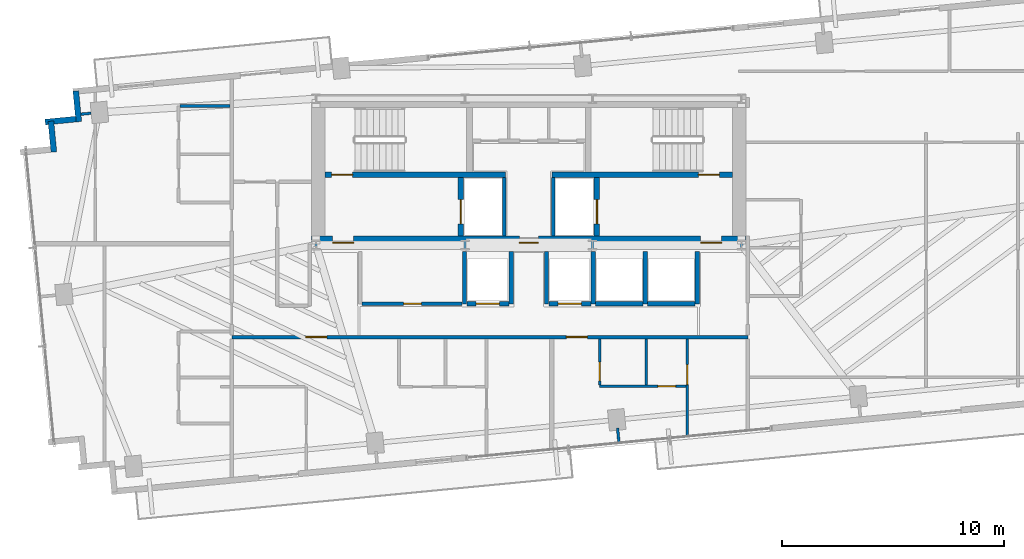
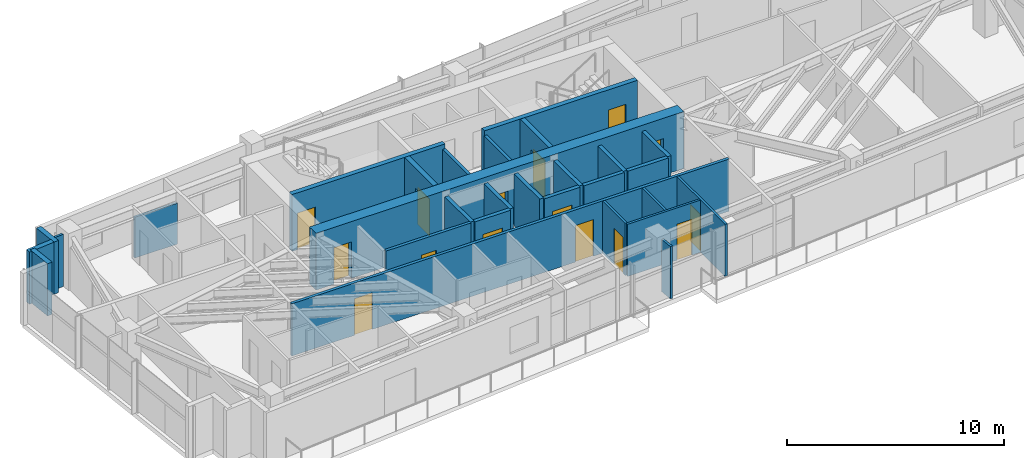
# One storey, part 14 of 18: 29 walls, 15 doors, 15 openings.
"""IFC4 building model written with IfcOpenShell, lengths in metres."""

import ifcopenshell
import ifcopenshell.guid

model = None  # the IFC model being written
_history = None  # IfcOwnerHistory: only IFC2X3 demands one
_inside = {}  # id of a spatial element -> (the spatial element, [elements in it])
_under = {}  # id of a project, library or spatial element -> (it, [spatial elements below it])
_declared = {}  # id of a project -> (the project, [libraries it declares])
_typed = {}  # id of a type object -> (the type object, [elements of that type])
_made_of = {}  # id of a material, layer set ... -> (it, [elements and type objects made of it])


def new_model(schema):
    """Start an empty IFC model of exactly this schema.

    Asked for "IFC4X3", IfcOpenShell would pick the latest addendum, in which some entities
    have other attributes; the version numbers below select the first issue.
    IFC2X3 requires an IfcOwnerHistory on every rooted entity: one is made here for all.
    """
    global model, _history
    if schema == "IFC4X3":
        model = ifcopenshell.file(schema_version=(4, 3, 0, 0))
    else:
        model = ifcopenshell.file(schema=schema)
    _inside.clear()
    _under.clear()
    _declared.clear()
    _typed.clear()
    _made_of.clear()
    _history = None
    if model.schema == "IFC2X3":
        org = make("IfcOrganization", Name="unknown")
        user = make(
            "IfcPersonAndOrganization",
            ThePerson=make("IfcPerson", FamilyName="unknown"),
            TheOrganization=org,
        )
        app = make(
            "IfcApplication",
            ApplicationDeveloper=org,
            Version="unknown",
            ApplicationFullName="unknown",
            ApplicationIdentifier="unknown",
        )
        _history = make(
            "IfcOwnerHistory",
            OwningUser=user,
            OwningApplication=app,
            ChangeAction="ADDED",
            CreationDate=0,
        )
    return model


def make(cls, **values):
    """One entity of the class cls with the attributes given. An attribute that is None is left unset."""
    return model.create_entity(
        cls, **{name: value for name, value in values.items() if value is not None}
    )


def rooted(cls, **values):
    """An entity with a GlobalId (a new one), such as an element, a storey or a relation."""
    return make(cls, GlobalId=ifcopenshell.guid.new(), OwnerHistory=_history, **values)


def si_unit(unit_type, name, prefix=None):
    """IfcSIUnit, for example si_unit("LENGTHUNIT", "METRE", prefix="MILLI")."""
    return make("IfcSIUnit", UnitType=unit_type, Prefix=prefix, Name=name)


def assignment(units):
    """IfcUnitAssignment: the units of a project."""
    return None if units is None else make("IfcUnitAssignment", Units=units)


def point(xyz):
    """IfcCartesianPoint."""
    return None if xyz is None else make("IfcCartesianPoint", Coordinates=xyz)


def direction(xyz):
    """IfcDirection."""
    return None if xyz is None else make("IfcDirection", DirectionRatios=xyz)


def frame(location, z_axis=None, x_axis=None):
    """IfcAxis2Placement3D, a coordinate frame: its origin and axes. An axis left out is left unset."""
    return make(
        "IfcAxis2Placement3D",
        Location=point(location),
        Axis=direction(z_axis),
        RefDirection=direction(x_axis),
    )


def frame_2d(location, x_axis=None):
    """IfcAxis2Placement2D, a coordinate frame in the plane: its origin and x axis."""
    return make(
        "IfcAxis2Placement2D", Location=point(location), RefDirection=direction(x_axis)
    )


def origin():
    """The frame at (0, 0, 0) with its axes left unset."""
    return frame((0.0, 0.0, 0.0))


def place(relative_to, where):
    """IfcLocalPlacement: puts the frame where relative to a parent placement (None: the world)."""
    return make(
        "IfcLocalPlacement", PlacementRelTo=relative_to, RelativePlacement=where
    )


def context(
    kind, dimensions, precision=None, world=None, true_north=None, identifier=None
):
    """IfcGeometricRepresentationContext, for example the 3D "Model" context."""
    return make(
        "IfcGeometricRepresentationContext",
        ContextIdentifier=identifier,
        ContextType=kind,
        CoordinateSpaceDimension=dimensions,
        Precision=precision,
        WorldCoordinateSystem=world,
        TrueNorth=true_north,
    )


def subcontext(parent, identifier, kind, view, scale=None):
    """IfcGeometricRepresentationSubContext, for example "Body" below "Model"."""
    return make(
        "IfcGeometricRepresentationSubContext",
        ContextIdentifier=identifier,
        ContextType=kind,
        ParentContext=parent,
        TargetScale=scale,
        TargetView=view,
    )


def project(units=None, contexts=None):
    """IfcProject with its units and contexts."""
    return rooted(
        "IfcProject",
        Name="project",
        RepresentationContexts=contexts,
        UnitsInContext=assignment(units),
    )


def spatial(cls, under=None, at=None, **own):
    """A site, building, storey or space (cls), placed at a placement, below another one or the project."""
    s = rooted(cls, ObjectPlacement=at, **own)
    if under is not None:
        _under.setdefault(under.id(), (under, []))[1].append(s)
    return s


def profile(cls, at=None, kind="AREA", **sizes):
    """A parametric profile (cls). Its sizes go by their IFC names, for example OverallWidth=200.0."""
    return make(cls, ProfileType=kind, Position=at, **sizes)


def rectangle(**sizes):
    """IfcRectangleProfileDef."""
    return profile("IfcRectangleProfileDef", **sizes)


def extrude(swept, where, along, depth):
    """IfcExtrudedAreaSolid: the profile swept, set in the frame where, extruded along a direction by depth."""
    return make(
        "IfcExtrudedAreaSolid",
        SweptArea=swept,
        Position=where,
        ExtrudedDirection=direction(along),
        Depth=depth,
    )


def shape(context_of_items, identifier, shape_type, items):
    """IfcShapeRepresentation: the items that make up one representation, for example the "Body"."""
    return make(
        "IfcShapeRepresentation",
        ContextOfItems=context_of_items,
        RepresentationIdentifier=identifier,
        RepresentationType=shape_type,
        Items=items,
    )


def source(mapping_origin, context_of_items, identifier, shape_type, items):
    """IfcRepresentationMap: a shape defined once, which mapped items show again and again."""
    return make(
        "IfcRepresentationMap",
        MappingOrigin=mapping_origin,
        MappedRepresentation=shape(context_of_items, identifier, shape_type, items),
    )


def transform(
    local_origin,
    x_axis=None,
    y_axis=None,
    z_axis=None,
    scale=None,
    scale2=None,
    scale3=None,
    uniform=True,
):
    """IfcCartesianTransformationOperator3D, or its non-uniform kind. x_axis, y_axis, z_axis: its Axis1, 2, 3."""
    if uniform:
        return make(
            "IfcCartesianTransformationOperator3D",
            Axis1=direction(x_axis),
            Axis2=direction(y_axis),
            LocalOrigin=point(local_origin),
            Scale=scale,
            Axis3=direction(z_axis),
        )
    return make(
        "IfcCartesianTransformationOperator3DnonUniform",
        Axis1=direction(x_axis),
        Axis2=direction(y_axis),
        LocalOrigin=point(local_origin),
        Scale=scale,
        Axis3=direction(z_axis),
        Scale2=scale2,
        Scale3=scale3,
    )


def mapped(mapping_source, mapping_target):
    """IfcMappedItem: shows the shape of a source again, moved by a transform."""
    return make(
        "IfcMappedItem", MappingSource=mapping_source, MappingTarget=mapping_target
    )


def material(Name=None, Category=None):
    """IfcMaterial."""
    return make("IfcMaterial", Name=Name, Category=Category)


def layer(
    of_material, thickness, ventilated=None, Name=None, Category=None, Priority=None
):
    """IfcMaterialLayer: one layer of a wall or slab, of a material (None: an air gap)."""
    return make(
        "IfcMaterialLayer",
        Material=of_material,
        LayerThickness=thickness,
        IsVentilated=ventilated,
        Name=Name,
        Category=Category,
        Priority=Priority,
    )


def layer_set(layers, Name=None):
    """IfcMaterialLayerSet."""
    return make("IfcMaterialLayerSet", MaterialLayers=layers, LayerSetName=Name)


def made_of(thing, what):
    """Note that an element or type object is made of a material, layer set ...; save() writes the relation."""
    if what is not None:
        _made_of.setdefault(what.id(), (what, []))[1].append(thing)
    return thing


def type_object(cls, material=None, **own):
    """A type object (cls), such as IfcWallType, which elements share."""
    return made_of(rooted(cls, **own), material)


def type_shapes(of_type, sources):
    """Give a type object the sources (RepresentationMaps) that its elements show as mapped items."""
    of_type.RepresentationMaps = sources


def element(
    cls,
    number,
    at=None,
    inside=None,
    cuts=None,
    type_object=None,
    material=None,
    context=None,
    identifier="Body",
    shape_type=None,
    held_by="IfcProductDefinitionShape",
    body=None,
    shapes=None,
    **own,
):
    """One element of the class cls, such as IfcWall. Its Tag is "e" and its number.

    at: its placement. inside: the storey or other place that contains it. cuts: it is an
    opening in that element (IfcRelVoidsElement). A single representation is given by context,
    identifier, shape_type and body (its items); several are given by shapes. held_by: the class
    of the entity that holds the representations. save() writes the other relations.
    """
    e = rooted(cls, Tag="e%d" % number, ObjectPlacement=at, **own)
    if body is not None:
        shapes = [shape(context, identifier, shape_type, body)]
    if shapes is not None:
        e.Representation = make(held_by, Representations=shapes)
    if inside is not None:
        _inside.setdefault(inside.id(), (inside, []))[1].append(e)
    if cuts is not None:
        rooted(
            "IfcRelVoidsElement", RelatingBuildingElement=cuts, RelatedOpeningElement=e
        )
    if type_object is not None:
        _typed.setdefault(type_object.id(), (type_object, []))[1].append(e)
    return made_of(e, material)


def fill(opening, filler):
    """IfcRelFillsElement: the door or window that sits in an opening."""
    return rooted(
        "IfcRelFillsElement",
        RelatingOpeningElement=opening,
        RelatedBuildingElement=filler,
    )


def aggregate(whole, parts):
    """IfcRelAggregates: a whole, such as a stair, and the parts it consists of."""
    return rooted("IfcRelAggregates", RelatingObject=whole, RelatedObjects=parts)


def save(model, path):
    """Write the relations noted so far, then the file.

    IfcRelAggregates (storeys below a building ...), IfcRelContainedInSpatialStructure (elements
    in a storey), IfcRelDefinesByType, IfcRelAssociatesMaterial and IfcRelDeclares: one each for
    every whole, place, type object, material and project.
    """
    for whole, parts in _under.values():
        aggregate(whole, parts)
    for where, things in _inside.values():
        rooted(
            "IfcRelContainedInSpatialStructure",
            RelatedElements=things,
            RelatingStructure=where,
        )
    for kind, things in _typed.values():
        rooted("IfcRelDefinesByType", RelatedObjects=things, RelatingType=kind)
    for what, things in _made_of.values():
        rooted("IfcRelAssociatesMaterial", RelatedObjects=things, RelatingMaterial=what)
    for by, libraries in _declared.values():
        rooted("IfcRelDeclares", RelatingContext=by, RelatedDefinitions=libraries)
    model.write(path)


model = new_model("IFC4")

# Units and contexts
model_context = context("Model", 3, precision=1e-05, world=origin(), true_north=direction((0.0, 1.0)))
body_context = subcontext(model_context, "Body", "Model", "MODEL_VIEW")
ifc_project = project(units=[si_unit("LENGTHUNIT", "METRE"), si_unit("AREAUNIT", "SQUARE_METRE"), si_unit("VOLUMEUNIT", "CUBIC_METRE"), si_unit("PLANEANGLEUNIT", "RADIAN"), si_unit("MASSUNIT", "GRAM", prefix="KILO")], contexts=[model_context])

# Site, building, storey
site_placement = place(None, origin())
site = spatial("IfcSite", under=ifc_project, at=site_placement, CompositionType="ELEMENT")
building_placement = place(site_placement, origin())
building = spatial("IfcBuilding", under=site, at=building_placement, Name="Astriad Promenade Condominiums", CompositionType="ELEMENT")
storey_placement = place(building_placement, frame((0.0, 0.0, 179.39990234375)))
storey = spatial("IfcBuildingStorey", under=building, at=storey_placement, Name="L51", CompositionType="ELEMENT", Elevation=179.39990234375)

# Wall, openings, doors
ifc_material_1 = material(Name="Concrete C50/60", Category="concrete")
ifc_layer_1 = layer(ifc_material_1, 0.60009765625)
ifc_layer_set_1 = layer_set([ifc_layer_1], Name="Concrete C50/60")
wall_type_1 = type_object("IfcWallType", Name="CW-SHEAR-600", PredefinedType="SHEAR", material=ifc_layer_set_1)
wall_1_placement = place(storey_placement, frame((26.199951171875, 17.5, 0.0), z_axis=(0.0, 0.0, 1.0), x_axis=(1.0, 0.0, 0.0)))
wall_1 = element("IfcWall", 1, at=wall_1_placement, inside=storey, type_object=wall_type_1, Name="CW-CORE-S-L51", PredefinedType="SHEAR", context=body_context, shape_type="SweptSolid", body=[
    extrude(rectangle(XDim=19.60009765625, YDim=0.60009765625, at=frame_2d((9.800048828125, 0.0))), origin(), (0.0, 0.0, 1.0), 3.2001953125),
])
opening_1_placement = place(wall_1_placement, frame((0.949951171875, 0.0, 0.0)))
opening_1 = element("IfcOpeningElement", 2, at=opening_1_placement, cuts=wall_1, Name="Opening FD90-ST-095", PredefinedType="OPENING", context=body_context, shape_type="SweptSolid", body=[
    extrude(rectangle(XDim=0.949951171875, YDim=2.06005859375, at=frame_2d((0.47509765625, 1.030029296875))), frame((0.0, 0.31005859375, 0.0), z_axis=(0.0, -1.0, 0.0), x_axis=(1.0, 0.0, 0.0)), (0.0, 0.0, 1.0), 0.6201171875),
])
opening_2_placement = place(wall_1_placement, frame((9.3798828125, 0.0, 0.0)))
opening_2 = element("IfcOpeningElement", 3, at=opening_2_placement, cuts=wall_1, Name="Opening FD60-ULOW-085", PredefinedType="OPENING", context=body_context, shape_type="SweptSolid", body=[
    extrude(rectangle(XDim=0.85009765625, YDim=2.0, at=frame_2d((0.425048828125, 1.0))), frame((0.0, 0.31005859375, 0.0), z_axis=(0.0, -1.0, 0.0), x_axis=(1.0, 0.0, 0.0)), (0.0, 0.0, 1.0), 0.6201171875),
])
opening_3_placement = place(wall_1_placement, frame((17.550048828125, 0.0, 0.0)))
opening_3 = element("IfcOpeningElement", 4, at=opening_3_placement, cuts=wall_1, Name="Opening FD90-ST-095", PredefinedType="OPENING", context=body_context, shape_type="SweptSolid", body=[
    extrude(rectangle(XDim=0.949951171875, YDim=2.06005859375, at=frame_2d((0.47509765625, 1.030029296875))), frame((0.0, 0.31005859375, 0.0), z_axis=(0.0, -1.0, 0.0), x_axis=(1.0, 0.0, 0.0)), (0.0, 0.0, 1.0), 0.6201171875),
])
ifc_material_2 = material(Name="Fire-Rated Hollow Metal Stair Door")
door_type_1 = type_object("IfcDoorType", Name="FD90-ST-095", OperationType="NOTDEFINED", PredefinedType="DOOR", material=ifc_material_2)
shared_shape_1 = source(origin(), body_context, "Body", "SweptSolid", [
    extrude(rectangle(XDim=0.949951171875, YDim=2.06005859375, at=frame_2d((0.47509765625, 1.030029296875))), frame((0.0, 0.02490234375, 0.0), z_axis=(0.0, -1.0, 0.0), x_axis=(1.0, 0.0, 0.0)), (0.0, 0.0, 1.0), 0.050048828125),
])
type_shapes(door_type_1, [shared_shape_1])
door_1_placement = place(opening_1_placement, origin())
door_1 = element("IfcDoor", 5, at=door_1_placement, inside=storey, type_object=door_type_1, Name="D-FFW-L51", OperationType="SINGLE_SWING_LEFT", OverallHeight=2.06005859375, OverallWidth=0.949951171875, PredefinedType="DOOR", context=body_context, shape_type="MappedRepresentation", body=[
    mapped(shared_shape_1, transform((0.0, 0.0, 0.0), scale=1.0)),
])
fill(opening_1, door_1)
door_2_placement = place(opening_3_placement, origin())
door_2 = element("IfcDoor", 6, at=door_2_placement, inside=storey, type_object=door_type_1, Name="D-FFE-L51", OperationType="SINGLE_SWING_RIGHT", OverallHeight=2.06005859375, OverallWidth=0.949951171875, PredefinedType="DOOR", context=body_context, shape_type="MappedRepresentation", body=[
    mapped(shared_shape_1, transform((0.0, 0.0, 0.0), scale=1.0)),
])
fill(opening_3, door_2)
ifc_material_3 = material(Name="Solid-Core Low-Headroom Fire Door")
door_type_2 = type_object("IfcDoorType", Name="FD60-ULOW-085", OperationType="NOTDEFINED", PredefinedType="DOOR", material=ifc_material_3)
shared_shape_2 = source(origin(), body_context, "Body", "SweptSolid", [
    extrude(rectangle(XDim=0.85009765625, YDim=2.0, at=frame_2d((0.425048828125, 1.0))), frame((0.0, 0.02490234375, 0.0), z_axis=(0.0, -1.0, 0.0), x_axis=(1.0, 0.0, 0.0)), (0.0, 0.0, 1.0), 0.050048828125),
])
type_shapes(door_type_2, [shared_shape_2])
door_3_placement = place(opening_2_placement, origin())
door_3 = element("IfcDoor", 7, at=door_3_placement, inside=storey, type_object=door_type_2, Name="D-CSL-L51", OperationType="SINGLE_SWING_RIGHT", OverallHeight=2.0, OverallWidth=0.85009765625, PredefinedType="DOOR", context=body_context, shape_type="MappedRepresentation", body=[
    mapped(shared_shape_2, transform((0.0, 0.0, 0.0), scale=1.0)),
])
fill(opening_2, door_3)

# Wall, opening, door
ifc_layer_2 = layer(ifc_material_1, 0.25)
ifc_layer_set_2 = layer_set([ifc_layer_2], Name="Concrete C50/60")
wall_type_2 = type_object("IfcWallType", Name="WALL-CORE-INT-250", PredefinedType="SOLIDWALL", material=ifc_layer_set_2)
wall_2_placement = place(storey_placement, frame((26.802001953125, 20.574951171875, 0.0), z_axis=(0.0, 0.0, 1.0), x_axis=(1.0, 0.0, 0.0)))
wall_2 = element("IfcWall", 8, at=wall_2_placement, inside=storey, type_object=wall_type_2, Name="CW-INT-H1-L51", PredefinedType="SOLIDWALL", context=body_context, shape_type="SweptSolid", body=[
    extrude(rectangle(XDim=8.14794921875, YDim=0.25, at=frame_2d((4.073974609375, 0.0))), origin(), (0.0, 0.0, 1.0), 3.2001953125),
])
opening_4_placement = place(wall_2_placement, frame((0.298095703125, 0.0, 0.0)))
opening_4 = element("IfcOpeningElement", 9, at=opening_4_placement, cuts=wall_2, Name="Opening FD90-ST-095", PredefinedType="OPENING", context=body_context, shape_type="SweptSolid", body=[
    extrude(rectangle(XDim=0.949951171875, YDim=2.06005859375, at=frame_2d((0.47509765625, 1.030029296875))), frame((0.0, 0.135009765625, 0.0), z_axis=(0.0, -1.0, 0.0), x_axis=(1.0, 0.0, 0.0)), (0.0, 0.0, 1.0), 0.27001953125),
])
door_4_placement = place(opening_4_placement, origin())
door_4 = element("IfcDoor", 10, at=door_4_placement, inside=storey, type_object=door_type_1, Name="D-ST1-L51", OperationType="SINGLE_SWING_LEFT", OverallHeight=2.06005859375, OverallWidth=0.949951171875, PredefinedType="DOOR", context=body_context, shape_type="MappedRepresentation", body=[
    mapped(shared_shape_1, transform((0.0, 0.0, 0.0), scale=1.0)),
])
fill(opening_4, door_4)

wall_3_placement = place(storey_placement, frame((37.050048828125, 20.574951171875, 0.0), z_axis=(0.0, 0.0, 1.0), x_axis=(1.0, 0.0, 0.0)))
wall_3 = element("IfcWall", 11, at=wall_3_placement, inside=storey, type_object=wall_type_2, Name="CW-INT-H2-L51", PredefinedType="SOLIDWALL", context=body_context, shape_type="SweptSolid", body=[
    extrude(rectangle(XDim=8.14794921875, YDim=0.25, at=frame_2d((4.073974609375, 0.0))), origin(), (0.0, 0.0, 1.0), 3.2001953125),
])
opening_5_placement = place(wall_3_placement, frame((6.60009765625, 0.0, 0.0)))
opening_5 = element("IfcOpeningElement", 12, at=opening_5_placement, cuts=wall_3, Name="Opening FD90-ST-095", PredefinedType="OPENING", context=body_context, shape_type="SweptSolid", body=[
    extrude(rectangle(XDim=0.949951171875, YDim=2.06005859375, at=frame_2d((0.47509765625, 1.030029296875))), frame((0.0, 0.135009765625, 0.0), z_axis=(0.0, -1.0, 0.0), x_axis=(1.0, 0.0, 0.0)), (0.0, 0.0, 1.0), 0.27001953125),
])
door_5_placement = place(opening_5_placement, origin())
door_5 = element("IfcDoor", 13, at=door_5_placement, inside=storey, type_object=door_type_1, Name="D-ST2-L51", OperationType="SINGLE_SWING_RIGHT", OverallHeight=2.06005859375, OverallWidth=0.949951171875, PredefinedType="DOOR", context=body_context, shape_type="MappedRepresentation", body=[
    mapped(shared_shape_1, transform((0.0, 0.0, 0.0), scale=1.0)),
])
fill(opening_5, door_5)

wall_4_placement = place(storey_placement, frame((32.925048828125, 17.802001953125, 0.0), z_axis=(0.0, 0.0, 1.0), x_axis=(0.0, 1.0, 0.0)))
wall_4 = element("IfcWall", 14, at=wall_4_placement, inside=storey, type_object=wall_type_2, Name="CW-FFL1-W-L51", PredefinedType="SOLIDWALL", context=body_context, shape_type="SweptSolid", body=[
    extrude(rectangle(XDim=2.64599609375, YDim=0.25, at=frame_2d((1.322998046875, 0.0))), origin(), (0.0, 0.0, 1.0), 3.2001953125),
])
opening_6_placement = place(wall_4_placement, frame((0.548095703125, 0.0, 0.0)))
opening_6 = element("IfcOpeningElement", 15, at=opening_6_placement, cuts=wall_4, Name="Opening LD-FFL-1122", PredefinedType="OPENING", context=body_context, shape_type="SweptSolid", body=[
    extrude(rectangle(XDim=1.10009765625, YDim=2.080078125, at=frame_2d((0.550048828125, 1.0400390625))), frame((0.0, 0.135009765625, 0.0), z_axis=(0.0, -1.0, 0.0), x_axis=(1.0, 0.0, 0.0)), (0.0, 0.0, 1.0), 0.27001953125),
])
ifc_material_4 = material(Name="Brushed Stainless Steel Fire Elevator Landing Door", Category="steel")
door_type_3 = type_object("IfcDoorType", Name="LD-FFL-1122", OperationType="NOTDEFINED", PredefinedType="DOOR", material=ifc_material_4)
shared_shape_3 = source(origin(), body_context, "Body", "SweptSolid", [
    extrude(rectangle(XDim=1.10009765625, YDim=2.080078125, at=frame_2d((0.550048828125, 1.0400390625))), frame((0.0, 0.02490234375, 0.0), z_axis=(0.0, -1.0, 0.0), x_axis=(1.0, 0.0, 0.0)), (0.0, 0.0, 1.0), 0.050048828125),
])
type_shapes(door_type_3, [shared_shape_3])
door_6_placement = place(opening_6_placement, origin())
door_6 = element("IfcDoor", 16, at=door_6_placement, inside=storey, type_object=door_type_3, Name="Elevator Landing Door FFL-1 (L51)", OperationType="SLIDING_TO_LEFT", OverallHeight=2.080078125, OverallWidth=1.10009765625, PredefinedType="DOOR", context=body_context, shape_type="MappedRepresentation", body=[
    mapped(shared_shape_3, transform((0.0, 0.0, 0.0), scale=1.0)),
])
fill(opening_6, door_6)

wall_5_placement = place(storey_placement, frame((39.074951171875, 17.802001953125, 0.0), z_axis=(0.0, 0.0, 1.0), x_axis=(0.0, 1.0, 0.0)))
wall_5 = element("IfcWall", 17, at=wall_5_placement, inside=storey, type_object=wall_type_2, Name="CW-FFL2-E-L51", PredefinedType="SOLIDWALL", context=body_context, shape_type="SweptSolid", body=[
    extrude(rectangle(XDim=2.64599609375, YDim=0.25, at=frame_2d((1.322998046875, 0.0))), origin(), (0.0, 0.0, 1.0), 3.2001953125),
])
opening_7_placement = place(wall_5_placement, frame((0.548095703125, 0.0, 0.0)))
opening_7 = element("IfcOpeningElement", 18, at=opening_7_placement, cuts=wall_5, Name="Opening LD-FFL-1122", PredefinedType="OPENING", context=body_context, shape_type="SweptSolid", body=[
    extrude(rectangle(XDim=1.10009765625, YDim=2.080078125, at=frame_2d((0.550048828125, 1.0400390625))), frame((0.0, 0.135009765625, 0.0), z_axis=(0.0, -1.0, 0.0), x_axis=(1.0, 0.0, 0.0)), (0.0, 0.0, 1.0), 0.27001953125),
])
door_7_placement = place(opening_7_placement, origin())
door_7 = element("IfcDoor", 19, at=door_7_placement, inside=storey, type_object=door_type_3, Name="Elevator Landing Door FFL-2 (L51)", OperationType="SLIDING_TO_RIGHT", OverallHeight=2.080078125, OverallWidth=1.10009765625, PredefinedType="DOOR", context=body_context, shape_type="MappedRepresentation", body=[
    mapped(shared_shape_3, transform((0.0, 0.0, 0.0), scale=1.0)),
])
fill(opening_7, door_7)

# Walls
ifc_material_5 = material(Name="Fire-Rated Gypsum Partition")
ifc_layer_3 = layer(ifc_material_5, 0.159912109375)
ifc_layer_set_3 = layer_set([ifc_layer_3], Name="Fire-Rated Gypsum Partition")
wall_type_3 = type_object("IfcWallType", Name="WALL-CORR-160", PredefinedType="PARTITIONING", material=ifc_layer_set_3)
for number, where, z_axis, x_axis, name in (
    (20, (34.89990234375, 17.802001953125, 0.0), (0.0, 0.0, 1.0), (0.0, 1.0, 0.0), "CW-FFL1-E-L51"),
    (21, (37.10009765625, 17.802001953125, 0.0), (0.0, 0.0, 1.0), (0.0, 1.0, 0.0), "CW-FFL2-W-L51"),
):
    element("IfcWall", number, at=place(storey_placement, frame(where, z_axis=z_axis, x_axis=x_axis)), inside=storey, type_object=wall_type_3, Name=name, PredefinedType="PARTITIONING", context=body_context, shape_type="SweptSolid", body=[
        extrude(rectangle(XDim=2.64599609375, YDim=0.159912109375, at=frame_2d((1.322998046875, 0.0))), origin(), (0.0, 0.0, 1.0), 2.940185546875),
    ])

# Wall, opening, door
wall_6_placement = place(storey_placement, frame((28.48193359375, 14.75, 0.0), z_axis=(0.0, 0.0, 1.0), x_axis=(1.0, 0.0, 0.0)))
wall_6 = element("IfcWall", 22, at=wall_6_placement, inside=storey, type_object=wall_type_3, Name="REC-L-S-L51", PredefinedType="PARTITIONING", context=body_context, shape_type="SweptSolid", body=[
    extrude(rectangle(XDim=4.51611328125, YDim=0.159912109375, at=frame_2d((2.258056640625, 0.0))), origin(), (0.0, 0.0, 1.0), 2.940185546875),
])
opening_8_placement = place(wall_6_placement, frame((1.867919921875, 0.0, 0.0)))
opening_8 = element("IfcOpeningElement", 23, at=opening_8_placement, cuts=wall_6, Name="Opening FD60-SV-080", PredefinedType="OPENING", context=body_context, shape_type="SweptSolid", body=[
    extrude(rectangle(XDim=0.800048828125, YDim=2.050048828125, at=frame_2d((0.39990234375, 1.02490234375))), frame((0.0, 0.08984375, 0.0), z_axis=(0.0, -1.0, 0.0), x_axis=(1.0, 0.0, 0.0)), (0.0, 0.0, 1.0), 0.179931640625),
])
ifc_material_6 = material(Name="Fire-Rated Riser Closet Door")
door_type_4 = type_object("IfcDoorType", Name="FD60-SV-080", OperationType="NOTDEFINED", PredefinedType="DOOR", material=ifc_material_6)
shared_shape_4 = source(origin(), body_context, "Body", "SweptSolid", [
    extrude(rectangle(XDim=0.800048828125, YDim=2.050048828125, at=frame_2d((0.39990234375, 1.02490234375))), frame((0.0, 0.02490234375, 0.0), z_axis=(0.0, -1.0, 0.0), x_axis=(1.0, 0.0, 0.0)), (0.0, 0.0, 1.0), 0.050048828125),
])
type_shapes(door_type_4, [shared_shape_4])
door_8_placement = place(opening_8_placement, origin())
door_8 = element("IfcDoor", 24, at=door_8_placement, inside=storey, type_object=door_type_4, Name="D-RECL-L51", OperationType="SINGLE_SWING_RIGHT", OverallHeight=2.050048828125, OverallWidth=0.800048828125, PredefinedType="DOOR", context=body_context, shape_type="MappedRepresentation", body=[
    mapped(shared_shape_4, transform((0.0, 0.0, 0.0), scale=1.0)),
])
fill(opening_8, door_8)

# Wall, openings, doors
wall_7_placement = place(storey_placement, frame((22.60009765625, 13.25, 0.0), z_axis=(0.0, 0.0, 1.0), x_axis=(1.0, 0.0, 0.0)))
wall_7 = element("IfcWall", 25, at=wall_7_placement, inside=storey, type_object=wall_type_3, Name="PT-COR-S-L51", PredefinedType="PARTITIONING", context=body_context, shape_type="SweptSolid", body=[
    extrude(rectangle(XDim=23.27978515625, YDim=0.159912109375, at=frame_2d((11.639892578125, 0.0))), origin(), (0.0, 0.0, 1.0), 2.940185546875),
])
opening_9_placement = place(wall_7_placement, frame((3.3349609375, 0.0, 0.0)))
opening_9 = element("IfcOpeningElement", 26, at=opening_9_placement, cuts=wall_7, Name="Opening FD60-APT-095", PredefinedType="OPENING", context=body_context, shape_type="SweptSolid", body=[
    extrude(rectangle(XDim=0.949951171875, YDim=2.06005859375, at=frame_2d((0.47509765625, 1.030029296875))), frame((0.0, 0.08984375, 0.0), z_axis=(0.0, -1.0, 0.0), x_axis=(1.0, 0.0, 0.0)), (0.0, 0.0, 1.0), 0.179931640625),
])
opening_10_placement = place(wall_7_placement, frame((15.095947265625, 0.0, 0.0)))
opening_10 = element("IfcOpeningElement", 27, at=opening_10_placement, cuts=wall_7, Name="Opening FD60-APT-095", PredefinedType="OPENING", context=body_context, shape_type="SweptSolid", body=[
    extrude(rectangle(XDim=0.949951171875, YDim=2.06005859375, at=frame_2d((0.47509765625, 1.030029296875))), frame((0.0, 0.08984375, 0.0), z_axis=(0.0, -1.0, 0.0), x_axis=(1.0, 0.0, 0.0)), (0.0, 0.0, 1.0), 0.179931640625),
])
ifc_material_7 = material(Name="Solid-Core Acoustic Timber Residence Entry Door", Category="wood")
door_type_5 = type_object("IfcDoorType", Name="FD60-APT-095", OperationType="NOTDEFINED", PredefinedType="DOOR", material=ifc_material_7)
shared_shape_5 = source(origin(), body_context, "Body", "SweptSolid", [
    extrude(rectangle(XDim=0.949951171875, YDim=2.06005859375, at=frame_2d((0.47509765625, 1.030029296875))), frame((0.0, 0.02490234375, 0.0), z_axis=(0.0, -1.0, 0.0), x_axis=(1.0, 0.0, 0.0)), (0.0, 0.0, 1.0), 0.050048828125),
])
type_shapes(door_type_5, [shared_shape_5])
door_9_placement = place(opening_9_placement, origin())
door_9 = element("IfcDoor", 28, at=door_9_placement, inside=storey, type_object=door_type_5, Name="D-ENT-L51-S1", OperationType="SINGLE_SWING_RIGHT", OverallHeight=2.06005859375, OverallWidth=0.949951171875, PredefinedType="DOOR", context=body_context, shape_type="MappedRepresentation", body=[
    mapped(shared_shape_5, transform((0.0, 0.0, 0.0), scale=1.0)),
])
fill(opening_9, door_9)
door_10_placement = place(opening_10_placement, origin())
door_10 = element("IfcDoor", 29, at=door_10_placement, inside=storey, type_object=door_type_5, Name="D-ENT-L51-S2", OperationType="SINGLE_SWING_RIGHT", OverallHeight=2.06005859375, OverallWidth=0.949951171875, PredefinedType="DOOR", context=body_context, shape_type="MappedRepresentation", body=[
    mapped(shared_shape_5, transform((0.0, 0.0, 0.0), scale=1.0)),
])
fill(opening_10, door_10)

# Walls
ifc_material_8 = material(Name="Precast concrete C50/60", Category="concrete")
ifc_layer_4 = layer(ifc_material_8, 0.260009765625)
ifc_layer_set_4 = layer_set([ifc_layer_4], Name="Precast concrete C50/60")
wall_type_4 = type_object("IfcWallType", Name="WALL-EXT-TWR-260", PredefinedType="STANDARD", material=ifc_layer_set_4)
for number, where, z_axis, x_axis, name in (
    (30, (14.57373046875, 21.5986328125, 0.0), (0.0, 0.0, 1.0), (-0.095742423056, 0.99540614245, 0.0), "W-SER-L51-05"),
    (31, (14.182861328125, 22.947265625, 0.0), (0.0, 0.0, 1.0), (0.99540614245, 0.095742423056, 0.0), "W-SER-L51-06"),
):
    element("IfcWall", number, at=place(storey_placement, frame(where, z_axis=z_axis, x_axis=x_axis)), inside=storey, type_object=wall_type_4, Name=name, PredefinedType="STANDARD", context=body_context, shape_type="SweptSolid", body=[
        extrude(rectangle(XDim=1.394775390625, YDim=0.260009765625, at=frame_2d((0.697265625, 0.0))), origin(), (0.0, 0.0, 1.0), 2.940185546875),
    ])
wall_8_placement = place(storey_placement, frame((15.6982421875, 22.962646484375, 0.0), z_axis=(0.0, 0.0, 1.0), x_axis=(-0.09589913835, 0.995391056452, 0.0)))
element("IfcWall", 32, at=wall_8_placement, inside=storey, type_object=wall_type_4, Name="W-SER-L51-07", PredefinedType="STANDARD", context=body_context, shape_type="SweptSolid", body=[
    extrude(rectangle(XDim=1.39501953125, YDim=0.260009765625, at=frame_2d((0.697509765625, 0.0))), origin(), (0.0, 0.0, 1.0), 2.940185546875),
])

# Wall, opening, door
ifc_material_9 = material(Name="Acoustic Metal-Stud Gypsum Partition")
ifc_layer_5 = layer(ifc_material_9, 0.1201171875)
ifc_layer_set_5 = layer_set([ifc_layer_5], Name="Acoustic Metal-Stud Gypsum Partition")
wall_type_5 = type_object("IfcWallType", Name="WALL-PART-120", PredefinedType="PARTITIONING", material=ifc_layer_set_5)
wall_9_placement = place(storey_placement, frame((43.14990234375, 8.71826171875, 0.0), z_axis=(0.0, 0.0, 1.0), x_axis=(0.0, 1.0, 0.0)))
wall_9 = element("IfcWall", 33, at=wall_9_placement, inside=storey, type_object=wall_type_5, Name="PT-L51-S2-BD1", PredefinedType="PARTITIONING", context=body_context, shape_type="SweptSolid", body=[
    extrude(rectangle(XDim=4.44970703125, YDim=0.1201171875, at=frame_2d((2.224853515625, 0.0))), origin(), (0.0, 0.0, 1.0), 2.940185546875),
])
opening_11_placement = place(wall_9_placement, frame((2.3857421875, 0.0, 0.0)))
opening_11 = element("IfcOpeningElement", 34, at=opening_11_placement, cuts=wall_9, Name="Opening D-INT-090", PredefinedType="OPENING", context=body_context, shape_type="SweptSolid", body=[
    extrude(rectangle(XDim=0.89990234375, YDim=2.050048828125, at=frame_2d((0.449951171875, 1.02490234375))), frame((0.0, 0.070068359375, 0.0), z_axis=(0.0, -1.0, 0.0), x_axis=(1.0, 0.0, 0.0)), (0.0, 0.0, 1.0), 0.14013671875),
])
ifc_material_10 = material(Name="Painted Solid-Core Timber Bedroom Door", Category="wood")
door_type_6 = type_object("IfcDoorType", Name="D-INT-090", OperationType="NOTDEFINED", PredefinedType="DOOR", material=ifc_material_10)
shared_shape_6 = source(origin(), body_context, "Body", "SweptSolid", [
    extrude(rectangle(XDim=0.89990234375, YDim=2.050048828125, at=frame_2d((0.449951171875, 1.02490234375))), frame((0.0, 0.02490234375, 0.0), z_axis=(0.0, -1.0, 0.0), x_axis=(1.0, 0.0, 0.0)), (0.0, 0.0, 1.0), 0.050048828125),
])
type_shapes(door_type_6, [shared_shape_6])
door_11_placement = place(opening_11_placement, origin())
door_11 = element("IfcDoor", 35, at=door_11_placement, inside=storey, type_object=door_type_6, Name="D-BD1-L51-S2", OperationType="SINGLE_SWING_LEFT", OverallHeight=2.050048828125, OverallWidth=0.89990234375, PredefinedType="DOOR", context=body_context, shape_type="MappedRepresentation", body=[
    mapped(shared_shape_6, transform((0.0, 0.0, 0.0), scale=1.0)),
])
fill(opening_11, door_11)

wall_10_placement = place(storey_placement, frame((39.199951171875, 11.028076171875, 0.0), z_axis=(0.0, 0.0, 1.0), x_axis=(1.0, 0.0, 0.0)))
wall_10 = element("IfcWall", 36, at=wall_10_placement, inside=storey, type_object=wall_type_5, Name="PT-L51-S2-PS", PredefinedType="PARTITIONING", context=body_context, shape_type="SweptSolid", body=[
    extrude(rectangle(XDim=3.887939453125, YDim=0.1201171875, at=frame_2d((1.94384765625, 0.0))), origin(), (0.0, 0.0, 1.0), 2.940185546875),
])
opening_12_placement = place(wall_10_placement, frame((2.625, 0.0, 0.0)))
opening_12 = element("IfcOpeningElement", 37, at=opening_12_placement, cuts=wall_10, Name="Opening D-WET-080", PredefinedType="OPENING", context=body_context, shape_type="SweptSolid", body=[
    extrude(rectangle(XDim=0.800048828125, YDim=2.02001953125, at=frame_2d((0.39990234375, 1.010009765625))), frame((0.0, 0.070068359375, 0.0), z_axis=(0.0, -1.0, 0.0), x_axis=(1.0, 0.0, 0.0)), (0.0, 0.0, 1.0), 0.14013671875),
])
ifc_material_11 = material(Name="Moisture-Resistant Timber Bathroom Door", Category="wood")
door_type_7 = type_object("IfcDoorType", Name="D-WET-080", OperationType="NOTDEFINED", PredefinedType="DOOR", material=ifc_material_11)
shared_shape_7 = source(origin(), body_context, "Body", "SweptSolid", [
    extrude(rectangle(XDim=0.800048828125, YDim=2.02001953125, at=frame_2d((0.39990234375, 1.010009765625))), frame((0.0, 0.02490234375, 0.0), z_axis=(0.0, -1.0, 0.0), x_axis=(1.0, 0.0, 0.0)), (0.0, 0.0, 1.0), 0.050048828125),
])
type_shapes(door_type_7, [shared_shape_7])
door_12_placement = place(opening_12_placement, origin())
door_12 = element("IfcDoor", 38, at=door_12_placement, inside=storey, type_object=door_type_7, Name="D-BTH-L51-S2", OperationType="SINGLE_SWING_LEFT", OverallHeight=2.02001953125, OverallWidth=0.800048828125, PredefinedType="DOOR", context=body_context, shape_type="MappedRepresentation", body=[
    mapped(shared_shape_7, transform((0.0, 0.0, 0.0), scale=1.0)),
])
fill(opening_12, door_12)

# Wall
wall_11_placement = place(storey_placement, frame((41.300048828125, 11.090087890625, 0.0), z_axis=(0.0, 0.0, 1.0), x_axis=(0.0, 1.0, 0.0)))
element("IfcWall", 39, at=wall_11_placement, inside=storey, type_object=wall_type_5, Name="PT-L51-S2-PBK", PredefinedType="PARTITIONING", context=body_context, shape_type="SweptSolid", body=[
    extrude(rectangle(XDim=2.077880859375, YDim=0.1201171875, at=frame_2d((1.0390625, 0.0))), origin(), (0.0, 0.0, 1.0), 2.940185546875),
])

# Wall, opening, door
wall_12_placement = place(storey_placement, frame((39.199951171875, 11.090087890625, 0.0), z_axis=(0.0, 0.0, 1.0), x_axis=(0.0, 1.0, 0.0)))
wall_12 = element("IfcWall", 40, at=wall_12_placement, inside=storey, type_object=wall_type_5, Name="PT-L51-S2-PKW", PredefinedType="PARTITIONING", context=body_context, shape_type="SweptSolid", body=[
    extrude(rectangle(XDim=2.077880859375, YDim=0.1201171875, at=frame_2d((1.0390625, 0.0))), origin(), (0.0, 0.0, 1.0), 2.940185546875),
])
opening_13_placement = place(wall_12_placement, frame((0.179931640625, 0.0, 0.0)))
opening_13 = element("IfcOpeningElement", 41, at=opening_13_placement, cuts=wall_12, Name="Opening D-INT-085", PredefinedType="OPENING", context=body_context, shape_type="SweptSolid", body=[
    extrude(rectangle(XDim=0.85009765625, YDim=2.050048828125, at=frame_2d((0.425048828125, 1.02490234375))), frame((0.0, 0.070068359375, 0.0), z_axis=(0.0, -1.0, 0.0), x_axis=(1.0, 0.0, 0.0)), (0.0, 0.0, 1.0), 0.14013671875),
])
ifc_material_12 = material(Name="Painted Solid-Core Timber Room Door", Category="wood")
door_type_8 = type_object("IfcDoorType", Name="D-INT-085", OperationType="NOTDEFINED", PredefinedType="DOOR", material=ifc_material_12)
shared_shape_8 = source(origin(), body_context, "Body", "SweptSolid", [
    extrude(rectangle(XDim=0.85009765625, YDim=2.050048828125, at=frame_2d((0.425048828125, 1.02490234375))), frame((0.0, 0.02490234375, 0.0), z_axis=(0.0, -1.0, 0.0), x_axis=(1.0, 0.0, 0.0)), (0.0, 0.0, 1.0), 0.050048828125),
])
type_shapes(door_type_8, [shared_shape_8])
door_13_placement = place(opening_13_placement, origin())
door_13 = element("IfcDoor", 42, at=door_13_placement, inside=storey, type_object=door_type_8, Name="D-KIT-L51-S2", OperationType="SINGLE_SWING_RIGHT", OverallHeight=2.050048828125, OverallWidth=0.85009765625, PredefinedType="DOOR", context=body_context, shape_type="MappedRepresentation", body=[
    mapped(shared_shape_8, transform((0.0, 0.0, 0.0), scale=1.0)),
])
fill(opening_13, door_13)

# Walls
wall_13_placement = place(storey_placement, frame((20.261962890625, 23.669921875, 0.0), z_axis=(0.0, 0.0, 1.0), x_axis=(1.0, 0.0, 0.0)))
element("IfcWall", 43, at=wall_13_placement, inside=storey, type_object=wall_type_5, Name="PT-L51-W2-PN", PredefinedType="PARTITIONING", context=body_context, shape_type="SweptSolid", body=[
    extrude(rectangle(XDim=2.256103515625, YDim=0.1201171875, at=frame_2d((1.1279296875, 0.0))), origin(), (0.0, 0.0, 1.0), 2.30029296875),
])
wall_14_placement = place(storey_placement, frame((40.005126953125, 9.138671875, 0.0), z_axis=(0.0, 0.0, 1.0), x_axis=(0.095977354523, -0.995383517755, 0.0)))
element("IfcWall", 44, at=wall_14_placement, inside=storey, type_object=wall_type_5, Name="PT-PIL-L51-PC03-10", PredefinedType="PARTITIONING", context=body_context, shape_type="SweptSolid", body=[
    extrude(rectangle(XDim=0.719970703125, YDim=0.1201171875, at=frame_2d((0.35986328125, 0.0))), origin(), (0.0, 0.0, 1.0), 2.940185546875),
])
wall_15_placement = place(storey_placement, frame((16.25390625, 23.34765625, 0.0), z_axis=(0.0, 0.0, 1.0), x_axis=(-0.995384576284, -0.09596637586, 0.0)))
element("IfcWall", 45, at=wall_15_placement, inside=storey, type_object=wall_type_5, Name="PT-PIL-L51-PC06-13", PredefinedType="PARTITIONING", context=body_context, shape_type="SweptSolid", body=[
    extrude(rectangle(XDim=0.4580078125, YDim=0.1201171875, at=frame_2d((0.22900390625, 0.0))), origin(), (0.0, 0.0, 1.0), 2.940185546875),
])
ifc_material_13 = material(Name="Gypsum Shaftliner Assembly")
ifc_layer_6 = layer(ifc_material_13, 0.199951171875)
ifc_layer_set_6 = layer_set([ifc_layer_6], Name="Gypsum Shaftliner Assembly")
wall_type_6 = type_object("IfcWallType", Name="WALL-SHAFT-200", PredefinedType="PARTITIONING", material=ifc_layer_set_6)
for number, where, z_axis, x_axis, name in (
    (46, (33.10009765625, 14.75, 0.0), (0.0, 0.0, 1.0), (0.0, 1.0, 0.0), "REC-L-E-L51"),
    (47, (35.199951171875, 14.75, 0.0), (0.0, 0.0, 1.0), (0.0, 1.0, 0.0), "PL-M1-E-L51"),
):
    element("IfcWall", number, at=place(storey_placement, frame(where, z_axis=z_axis, x_axis=x_axis)), inside=storey, type_object=wall_type_6, Name=name, PredefinedType="PARTITIONING", context=body_context, shape_type="SweptSolid", body=[
        extrude(rectangle(XDim=2.35009765625, YDim=0.199951171875, at=frame_2d((1.175048828125, 0.0))), origin(), (0.0, 0.0, 1.0), 2.940185546875),
    ])

# Wall, opening, door
wall_16_placement = place(storey_placement, frame((33.201904296875, 14.75, 0.0), z_axis=(0.0, 0.0, 1.0), x_axis=(1.0, 0.0, 0.0)))
wall_16 = element("IfcWall", 48, at=wall_16_placement, inside=storey, type_object=wall_type_6, Name="PL-M1-F-L51", PredefinedType="PARTITIONING", context=body_context, shape_type="SweptSolid", body=[
    extrude(rectangle(XDim=1.89599609375, YDim=0.199951171875, at=frame_2d((0.947998046875, 0.0))), origin(), (0.0, 0.0, 1.0), 2.940185546875),
])
opening_14_placement = place(wall_16_placement, frame((0.423095703125, 0.0, 0.0)))
opening_14 = element("IfcOpeningElement", 49, at=opening_14_placement, cuts=wall_16, Name="Opening LD-PL-10522", PredefinedType="OPENING", context=body_context, shape_type="SweptSolid", body=[
    extrude(rectangle(XDim=1.050048828125, YDim=2.080078125, at=frame_2d((0.52490234375, 1.0400390625))), frame((0.0, 0.10986328125, 0.0), z_axis=(0.0, -1.0, 0.0), x_axis=(1.0, 0.0, 0.0)), (0.0, 0.0, 1.0), 0.219970703125),
])
ifc_material_14 = material(Name="Brushed Bronze Passenger Elevator Landing Door")
door_type_9 = type_object("IfcDoorType", Name="LD-PL-10522", OperationType="NOTDEFINED", PredefinedType="DOOR", material=ifc_material_14)
shared_shape_9 = source(origin(), body_context, "Body", "SweptSolid", [
    extrude(rectangle(XDim=1.050048828125, YDim=2.080078125, at=frame_2d((0.52490234375, 1.0400390625))), frame((0.0, 0.02490234375, 0.0), z_axis=(0.0, -1.0, 0.0), x_axis=(1.0, 0.0, 0.0)), (0.0, 0.0, 1.0), 0.050048828125),
])
type_shapes(door_type_9, [shared_shape_9])
door_14_placement = place(opening_14_placement, origin())
door_14 = element("IfcDoor", 50, at=door_14_placement, inside=storey, type_object=door_type_9, Name="Elevator Landing Door PL-M1 (L51)", OperationType="SLIDING_TO_LEFT", OverallHeight=2.080078125, OverallWidth=1.050048828125, PredefinedType="DOOR", context=body_context, shape_type="MappedRepresentation", body=[
    mapped(shared_shape_9, transform((0.0, 0.0, 0.0), scale=1.0)),
])
fill(opening_14, door_14)

# Walls
for number, where, z_axis, x_axis, name in (
    (51, (36.800048828125, 14.75, 0.0), (0.0, 0.0, 1.0), (0.0, 1.0, 0.0), "PL-M2-W-L51"),
    (52, (38.89990234375, 14.75, 0.0), (0.0, 0.0, 1.0), (0.0, 1.0, 0.0), "PL-MH-DIV-L51"),
):
    element("IfcWall", number, at=place(storey_placement, frame(where, z_axis=z_axis, x_axis=x_axis)), inside=storey, type_object=wall_type_6, Name=name, PredefinedType="PARTITIONING", context=body_context, shape_type="SweptSolid", body=[
        extrude(rectangle(XDim=2.35009765625, YDim=0.199951171875, at=frame_2d((1.175048828125, 0.0))), origin(), (0.0, 0.0, 1.0), 2.940185546875),
    ])

# Wall, opening, door
wall_17_placement = place(storey_placement, frame((36.902099609375, 14.75, 0.0), z_axis=(0.0, 0.0, 1.0), x_axis=(1.0, 0.0, 0.0)))
wall_17 = element("IfcWall", 53, at=wall_17_placement, inside=storey, type_object=wall_type_6, Name="PL-M2-F-L51", PredefinedType="PARTITIONING", context=body_context, shape_type="SweptSolid", body=[
    extrude(rectangle(XDim=1.89599609375, YDim=0.199951171875, at=frame_2d((0.947998046875, 0.0))), origin(), (0.0, 0.0, 1.0), 2.940185546875),
])
opening_15_placement = place(wall_17_placement, frame((0.423095703125, 0.0, 0.0)))
opening_15 = element("IfcOpeningElement", 54, at=opening_15_placement, cuts=wall_17, Name="Opening LD-PL-10522", PredefinedType="OPENING", context=body_context, shape_type="SweptSolid", body=[
    extrude(rectangle(XDim=1.050048828125, YDim=2.080078125, at=frame_2d((0.52490234375, 1.0400390625))), frame((0.0, 0.10986328125, 0.0), z_axis=(0.0, -1.0, 0.0), x_axis=(1.0, 0.0, 0.0)), (0.0, 0.0, 1.0), 0.219970703125),
])
door_15_placement = place(opening_15_placement, origin())
door_15 = element("IfcDoor", 55, at=door_15_placement, inside=storey, type_object=door_type_9, Name="Elevator Landing Door PL-M2 (L51)", OperationType="SLIDING_TO_RIGHT", OverallHeight=2.080078125, OverallWidth=1.050048828125, PredefinedType="DOOR", context=body_context, shape_type="MappedRepresentation", body=[
    mapped(shared_shape_9, transform((0.0, 0.0, 0.0), scale=1.0)),
])
fill(opening_15, door_15)

# Walls
for number, where, z_axis, x_axis, name in (
    (56, (41.25, 14.75, 0.0), (0.0, 0.0, 1.0), (0.0, 1.0, 0.0), "PL-H-DIV-L51"),
    (57, (43.60009765625, 14.75, 0.0), (0.0, 0.0, 1.0), (0.0, 1.0, 0.0), "PL-E-OUT-L51"),
):
    element("IfcWall", number, at=place(storey_placement, frame(where, z_axis=z_axis, x_axis=x_axis)), inside=storey, type_object=wall_type_6, Name=name, PredefinedType="PARTITIONING", context=body_context, shape_type="SweptSolid", body=[
        extrude(rectangle(XDim=2.35009765625, YDim=0.199951171875, at=frame_2d((1.175048828125, 0.0))), origin(), (0.0, 0.0, 1.0), 2.940185546875),
    ])
for number, where, z_axis, x_axis, name in (
    (58, (39.001953125, 14.75, 0.0), (0.0, 0.0, 1.0), (1.0, 0.0, 0.0), "PL-H-FRT-L51"),
    (59, (41.35205078125, 14.75, 0.0), (0.0, 0.0, 1.0), (1.0, 0.0, 0.0), "PL-H-FRT-L51-S2"),
):
    element("IfcWall", number, at=place(storey_placement, frame(where, z_axis=z_axis, x_axis=x_axis)), inside=storey, type_object=wall_type_6, Name=name, PredefinedType="PARTITIONING", context=body_context, shape_type="SweptSolid", body=[
        extrude(rectangle(XDim=2.14599609375, YDim=0.199951171875, at=frame_2d((1.072998046875, 0.0))), origin(), (0.0, 0.0, 1.0), 2.940185546875),
    ])

save(model, "model.ifc")
